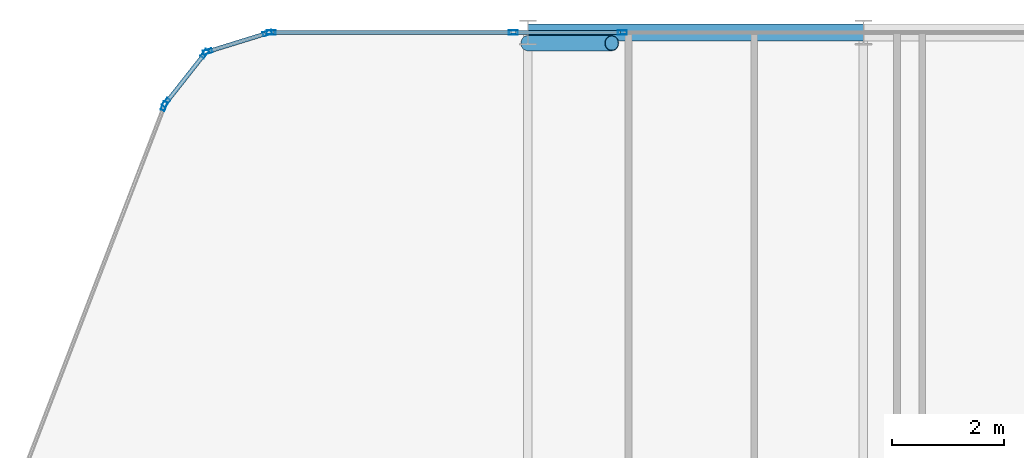
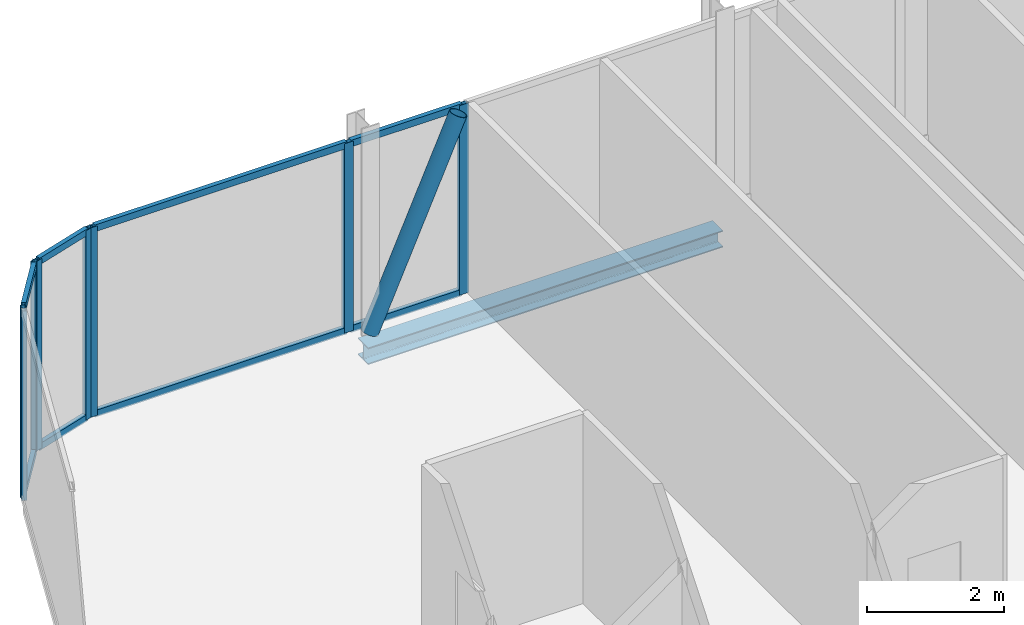
# One storey, part 18 of 29: 17 members, 1 beam, 5 elements without a shape of their own.
"""IFC4 building model written with IfcOpenShell, lengths in metres."""

import ifcopenshell
import ifcopenshell.guid

model = None  # the IFC model being written
_history = None  # IfcOwnerHistory: only IFC2X3 demands one
_inside = {}  # id of a spatial element -> (the spatial element, [elements in it])
_under = {}  # id of a project, library or spatial element -> (it, [spatial elements below it])
_declared = {}  # id of a project -> (the project, [libraries it declares])
_typed = {}  # id of a type object -> (the type object, [elements of that type])
_made_of = {}  # id of a material, layer set ... -> (it, [elements and type objects made of it])


def new_model(schema):
    """Start an empty IFC model of exactly this schema.

    Asked for "IFC4X3", IfcOpenShell would pick the latest addendum, in which some entities
    have other attributes; the version numbers below select the first issue.
    IFC2X3 requires an IfcOwnerHistory on every rooted entity: one is made here for all.
    """
    global model, _history
    if schema == "IFC4X3":
        model = ifcopenshell.file(schema_version=(4, 3, 0, 0))
    else:
        model = ifcopenshell.file(schema=schema)
    _inside.clear()
    _under.clear()
    _declared.clear()
    _typed.clear()
    _made_of.clear()
    _history = None
    if model.schema == "IFC2X3":
        org = make("IfcOrganization", Name="unknown")
        user = make(
            "IfcPersonAndOrganization",
            ThePerson=make("IfcPerson", FamilyName="unknown"),
            TheOrganization=org,
        )
        app = make(
            "IfcApplication",
            ApplicationDeveloper=org,
            Version="unknown",
            ApplicationFullName="unknown",
            ApplicationIdentifier="unknown",
        )
        _history = make(
            "IfcOwnerHistory",
            OwningUser=user,
            OwningApplication=app,
            ChangeAction="ADDED",
            CreationDate=0,
        )
    return model


def make(cls, **values):
    """One entity of the class cls with the attributes given. An attribute that is None is left unset."""
    return model.create_entity(
        cls, **{name: value for name, value in values.items() if value is not None}
    )


def rooted(cls, **values):
    """An entity with a GlobalId (a new one), such as an element, a storey or a relation."""
    return make(cls, GlobalId=ifcopenshell.guid.new(), OwnerHistory=_history, **values)


def si_unit(unit_type, name, prefix=None):
    """IfcSIUnit, for example si_unit("LENGTHUNIT", "METRE", prefix="MILLI")."""
    return make("IfcSIUnit", UnitType=unit_type, Prefix=prefix, Name=name)


def assignment(units):
    """IfcUnitAssignment: the units of a project."""
    return None if units is None else make("IfcUnitAssignment", Units=units)


def point(xyz):
    """IfcCartesianPoint."""
    return None if xyz is None else make("IfcCartesianPoint", Coordinates=xyz)


def direction(xyz):
    """IfcDirection."""
    return None if xyz is None else make("IfcDirection", DirectionRatios=xyz)


def frame(location, z_axis=None, x_axis=None):
    """IfcAxis2Placement3D, a coordinate frame: its origin and axes. An axis left out is left unset."""
    return make(
        "IfcAxis2Placement3D",
        Location=point(location),
        Axis=direction(z_axis),
        RefDirection=direction(x_axis),
    )


def frame_2d(location, x_axis=None):
    """IfcAxis2Placement2D, a coordinate frame in the plane: its origin and x axis."""
    return make(
        "IfcAxis2Placement2D", Location=point(location), RefDirection=direction(x_axis)
    )


def origin():
    """The frame at (0, 0, 0) with its axes left unset."""
    return frame((0.0, 0.0, 0.0))


def origin_2d():
    """The frame at (0, 0) in the plane with its x axis left unset."""
    return frame_2d((0.0, 0.0))


def place(relative_to, where):
    """IfcLocalPlacement: puts the frame where relative to a parent placement (None: the world)."""
    return make(
        "IfcLocalPlacement", PlacementRelTo=relative_to, RelativePlacement=where
    )


def context(
    kind, dimensions, precision=None, world=None, true_north=None, identifier=None
):
    """IfcGeometricRepresentationContext, for example the 3D "Model" context."""
    return make(
        "IfcGeometricRepresentationContext",
        ContextIdentifier=identifier,
        ContextType=kind,
        CoordinateSpaceDimension=dimensions,
        Precision=precision,
        WorldCoordinateSystem=world,
        TrueNorth=true_north,
    )


def subcontext(parent, identifier, kind, view, scale=None):
    """IfcGeometricRepresentationSubContext, for example "Body" below "Model"."""
    return make(
        "IfcGeometricRepresentationSubContext",
        ContextIdentifier=identifier,
        ContextType=kind,
        ParentContext=parent,
        TargetScale=scale,
        TargetView=view,
    )


def project(units=None, contexts=None):
    """IfcProject with its units and contexts."""
    return rooted(
        "IfcProject",
        Name="project",
        RepresentationContexts=contexts,
        UnitsInContext=assignment(units),
    )


def spatial(cls, under=None, at=None, **own):
    """A site, building, storey or space (cls), placed at a placement, below another one or the project."""
    s = rooted(cls, ObjectPlacement=at, **own)
    if under is not None:
        _under.setdefault(under.id(), (under, []))[1].append(s)
    return s


def profile(cls, at=None, kind="AREA", **sizes):
    """A parametric profile (cls). Its sizes go by their IFC names, for example OverallWidth=200.0."""
    return make(cls, ProfileType=kind, Position=at, **sizes)


def hollow_rectangle(**sizes):
    """IfcRectangleHollowProfileDef."""
    return profile("IfcRectangleHollowProfileDef", **sizes)


def hollow_circle(**sizes):
    """IfcCircleHollowProfileDef."""
    return profile("IfcCircleHollowProfileDef", **sizes)


def i_section(**sizes):
    """IfcIShapeProfileDef."""
    return profile("IfcIShapeProfileDef", **sizes)


def extrude(swept, where, along, depth):
    """IfcExtrudedAreaSolid: the profile swept, set in the frame where, extruded along a direction by depth."""
    return make(
        "IfcExtrudedAreaSolid",
        SweptArea=swept,
        Position=where,
        ExtrudedDirection=direction(along),
        Depth=depth,
    )


def shape(context_of_items, identifier, shape_type, items):
    """IfcShapeRepresentation: the items that make up one representation, for example the "Body"."""
    return make(
        "IfcShapeRepresentation",
        ContextOfItems=context_of_items,
        RepresentationIdentifier=identifier,
        RepresentationType=shape_type,
        Items=items,
    )


def material(Name=None, Category=None):
    """IfcMaterial."""
    return make("IfcMaterial", Name=Name, Category=Category)


def layer(
    of_material, thickness, ventilated=None, Name=None, Category=None, Priority=None
):
    """IfcMaterialLayer: one layer of a wall or slab, of a material (None: an air gap)."""
    return make(
        "IfcMaterialLayer",
        Material=of_material,
        LayerThickness=thickness,
        IsVentilated=ventilated,
        Name=Name,
        Category=Category,
        Priority=Priority,
    )


def layer_set(layers, Name=None):
    """IfcMaterialLayerSet."""
    return make("IfcMaterialLayerSet", MaterialLayers=layers, LayerSetName=Name)


def material_profile(
    of_material, cross_section, Name=None, Category=None, Priority=None
):
    """IfcMaterialProfile: a cross section and its material."""
    return make(
        "IfcMaterialProfile",
        Name=Name,
        Material=of_material,
        Profile=cross_section,
        Priority=Priority,
        Category=Category,
    )


def profile_set(profiles, Name=None, composite=None):
    """IfcMaterialProfileSet."""
    return make(
        "IfcMaterialProfileSet",
        Name=Name,
        MaterialProfiles=profiles,
        CompositeProfile=composite,
    )


def made_of(thing, what):
    """Note that an element or type object is made of a material, layer set ...; save() writes the relation."""
    if what is not None:
        _made_of.setdefault(what.id(), (what, []))[1].append(thing)
    return thing


def type_object(cls, material=None, **own):
    """A type object (cls), such as IfcWallType, which elements share."""
    return made_of(rooted(cls, **own), material)


def element(
    cls,
    number,
    at=None,
    inside=None,
    cuts=None,
    type_object=None,
    material=None,
    context=None,
    identifier="Body",
    shape_type=None,
    held_by="IfcProductDefinitionShape",
    body=None,
    shapes=None,
    **own,
):
    """One element of the class cls, such as IfcWall. Its Tag is "e" and its number.

    at: its placement. inside: the storey or other place that contains it. cuts: it is an
    opening in that element (IfcRelVoidsElement). A single representation is given by context,
    identifier, shape_type and body (its items); several are given by shapes. held_by: the class
    of the entity that holds the representations. save() writes the other relations.
    """
    e = rooted(cls, Tag="e%d" % number, ObjectPlacement=at, **own)
    if body is not None:
        shapes = [shape(context, identifier, shape_type, body)]
    if shapes is not None:
        e.Representation = make(held_by, Representations=shapes)
    if inside is not None:
        _inside.setdefault(inside.id(), (inside, []))[1].append(e)
    if cuts is not None:
        rooted(
            "IfcRelVoidsElement", RelatingBuildingElement=cuts, RelatedOpeningElement=e
        )
    if type_object is not None:
        _typed.setdefault(type_object.id(), (type_object, []))[1].append(e)
    return made_of(e, material)


def aggregate(whole, parts):
    """IfcRelAggregates: a whole, such as a stair, and the parts it consists of."""
    return rooted("IfcRelAggregates", RelatingObject=whole, RelatedObjects=parts)


def save(model, path):
    """Write the relations noted so far, then the file.

    IfcRelAggregates (storeys below a building ...), IfcRelContainedInSpatialStructure (elements
    in a storey), IfcRelDefinesByType, IfcRelAssociatesMaterial and IfcRelDeclares: one each for
    every whole, place, type object, material and project.
    """
    for whole, parts in _under.values():
        aggregate(whole, parts)
    for where, things in _inside.values():
        rooted(
            "IfcRelContainedInSpatialStructure",
            RelatedElements=things,
            RelatingStructure=where,
        )
    for kind, things in _typed.values():
        rooted("IfcRelDefinesByType", RelatedObjects=things, RelatingType=kind)
    for what, things in _made_of.values():
        rooted("IfcRelAssociatesMaterial", RelatedObjects=things, RelatingMaterial=what)
    for by, libraries in _declared.values():
        rooted("IfcRelDeclares", RelatingContext=by, RelatedDefinitions=libraries)
    model.write(path)


model = new_model("IFC4")

# Units and contexts
model_context = context("Model", 3, precision=1e-05, world=origin(), true_north=direction((0.0, 1.0)))
body_context = subcontext(model_context, "Body", "Model", "MODEL_VIEW")
ifc_project = project(units=[si_unit("LENGTHUNIT", "METRE"), si_unit("AREAUNIT", "SQUARE_METRE"), si_unit("VOLUMEUNIT", "CUBIC_METRE"), si_unit("PLANEANGLEUNIT", "RADIAN"), si_unit("MASSUNIT", "GRAM", prefix="KILO")], contexts=[model_context])

# Site, building, storey
site_placement = place(None, origin())
site = spatial("IfcSite", under=ifc_project, at=site_placement, CompositionType="ELEMENT")
building_placement = place(site_placement, origin())
building = spatial("IfcBuilding", under=site, at=building_placement, Name="Keshet Zoharim Tower", CompositionType="ELEMENT")
storey_placement = place(building_placement, frame((0.0, 0.0, 230.199951171875)))
storey = spatial("IfcBuildingStorey", under=building, at=storey_placement, Name="L57", CompositionType="ELEMENT", Elevation=230.199951171875)

# Beam
ifc_material_1 = material(Name="Steel S355", Category="steel")
ifc_material_profile_1 = material_profile(ifc_material_1, i_section(OverallWidth=0.300048828125, OverallDepth=0.300048828125, WebThickness=0.010986328125, FlangeThickness=0.01904296875, FilletRadius=0.027099609375, at=origin_2d()), Name="HEB300")
ifc_profile_set_1 = profile_set([ifc_material_profile_1], Name="Steel S355")
beam_type = type_object("IfcBeamType", Name="BM-PRI-HB300", PredefinedType="BEAM", material=ifc_profile_set_1)
beam_placement = place(storey_placement, frame((21.0, 53.89990234375, -0.4599609375), z_axis=(1.0, 0.0, 0.0), x_axis=(0.0, 1.0, 0.0)))
element("IfcBeam", 1, at=beam_placement, inside=storey, type_object=beam_type, Name="L57 Primary Girder X-019", PredefinedType="BEAM", context=body_context, shape_type="SweptSolid", body=[
    extrude(i_section(OverallWidth=0.300048828125, OverallDepth=0.300048828125, WebThickness=0.010986328125, FlangeThickness=0.01904296875, FilletRadius=0.027099609375, at=origin_2d()), origin(), (0.0, 0.0, 1.0), 6.0),
])

# Curtain wall, member
ifc_material_2 = material(Name="Aluminium 6063-T6", Category="aluminium")
ifc_layer = layer(ifc_material_2, 0.139892578125)
ifc_layer_set = layer_set([ifc_layer], Name="Aluminium 6063-T6")
curtain_wall_type = type_object("IfcCurtainWallType", Name="CW-SYS-05", PredefinedType="NOTDEFINED", material=ifc_layer_set)
curtain_wall_1_placement = place(storey_placement, origin())
curtain_wall_1 = element("IfcCurtainWall", 2, at=curtain_wall_1_placement, inside=storey, type_object=curtain_wall_type, Name="L57 Unitised Curtain Wall 13", PredefinedType="NOTDEFINED")
ifc_material_profile_2 = material_profile(ifc_material_2, hollow_rectangle(XDim=0.074951171875, YDim=0.159912109375, WallThickness=0.00390625, at=origin_2d()), Name="MUL-75x160")
ifc_profile_set_2 = profile_set([ifc_material_profile_2], Name="Aluminium 6063-T6")
member_type_1 = type_object("IfcMemberType", Name="CWM-M15", PredefinedType="MULLION", material=ifc_profile_set_2)
member_1_placement = place(storey_placement, frame((14.494384765625, 52.58544921875, 0.0), z_axis=(0.0, 0.0, 1.0), x_axis=(-0.933341404361, 0.358990003907, 0.0)))
member_1 = element("IfcMember", 3, at=member_1_placement, type_object=member_type_1, Name="CW-05 mullion 4", PredefinedType="MULLION", context=body_context, shape_type="SweptSolid", body=[
    extrude(hollow_rectangle(XDim=0.074951171875, YDim=0.159912109375, WallThickness=0.00390625, at=origin_2d()), origin(), (0.0, 0.0, 1.0), 3.39013671875),
])
aggregate(curtain_wall_1, [member_1])

# Curtain wall, members
curtain_wall_2_placement = place(storey_placement, origin())
curtain_wall_2 = element("IfcCurtainWall", 4, at=curtain_wall_2_placement, inside=storey, type_object=curtain_wall_type, Name="L57 Unitised Curtain Wall 14", PredefinedType="NOTDEFINED")
member_2_placement = place(storey_placement, frame((14.528564453125, 52.6455078125, 0.0), z_axis=(0.0, 0.0, 1.0), x_axis=(-0.785292825205, 0.619124525989, 0.0)))
member_2 = element("IfcMember", 5, at=member_2_placement, type_object=member_type_1, Name="CW-05 mullion 1", PredefinedType="MULLION", context=body_context, shape_type="SweptSolid", body=[
    extrude(hollow_rectangle(XDim=0.074951171875, YDim=0.159912109375, WallThickness=0.00390625, at=origin_2d()), origin(), (0.0, 0.0, 1.0), 3.39013671875),
])
member_3_placement = place(storey_placement, frame((15.21923828125, 53.521484375, 0.0), z_axis=(0.0, 0.0, 1.0), x_axis=(-0.785292825205, 0.619124525989, 0.0)))
member_3 = element("IfcMember", 6, at=member_3_placement, type_object=member_type_1, Name="CW-05 mullion 2", PredefinedType="MULLION", context=body_context, shape_type="SweptSolid", body=[
    extrude(hollow_rectangle(XDim=0.074951171875, YDim=0.159912109375, WallThickness=0.00390625, at=origin_2d()), origin(), (0.0, 0.0, 1.0), 3.39013671875),
])

curtain_wall_3_placement = place(storey_placement, origin())
curtain_wall_3 = element("IfcCurtainWall", 7, at=curtain_wall_3_placement, inside=storey, type_object=curtain_wall_type, Name="L57 Unitised Curtain Wall 15", PredefinedType="NOTDEFINED")
member_4_placement = place(storey_placement, frame((15.2744140625, 53.559326171875, 0.0), z_axis=(0.0, 0.0, 1.0), x_axis=(-0.295921857984, 0.955212151288, 0.0)))
member_4 = element("IfcMember", 8, at=member_4_placement, type_object=member_type_1, Name="CW-05 mullion 1", PredefinedType="MULLION", context=body_context, shape_type="SweptSolid", body=[
    extrude(hollow_rectangle(XDim=0.074951171875, YDim=0.159912109375, WallThickness=0.00390625, at=origin_2d()), origin(), (0.0, 0.0, 1.0), 3.39013671875),
])
member_5_placement = place(storey_placement, frame((16.340576171875, 53.8896484375, 0.0), z_axis=(0.0, 0.0, 1.0), x_axis=(-0.295921857984, 0.955212151288, 0.0)))
member_5 = element("IfcMember", 9, at=member_5_placement, type_object=member_type_1, Name="CW-05 mullion 2", PredefinedType="MULLION", context=body_context, shape_type="SweptSolid", body=[
    extrude(hollow_rectangle(XDim=0.074951171875, YDim=0.159912109375, WallThickness=0.00390625, at=origin_2d()), origin(), (0.0, 0.0, 1.0), 3.39013671875),
])

curtain_wall_4_placement = place(storey_placement, origin())
curtain_wall_4 = element("IfcCurtainWall", 10, at=curtain_wall_4_placement, inside=storey, type_object=curtain_wall_type, Name="L57 Unitised Curtain Wall 16", PredefinedType="NOTDEFINED")
member_6_placement = place(storey_placement, frame((16.408935546875, 53.89990234375, 0.0), z_axis=(0.0, 0.0, 1.0), x_axis=(0.0, 1.0, 0.0)))
member_6 = element("IfcMember", 11, at=member_6_placement, type_object=member_type_1, Name="CW-05 mullion 1", PredefinedType="MULLION", context=body_context, shape_type="SweptSolid", body=[
    extrude(hollow_rectangle(XDim=0.074951171875, YDim=0.159912109375, WallThickness=0.00390625, at=origin_2d()), origin(), (0.0, 0.0, 1.0), 3.39013671875),
])
member_7_placement = place(storey_placement, frame((20.740234375, 53.89990234375, 0.0), z_axis=(0.0, 0.0, 1.0), x_axis=(0.0, 1.0, 0.0)))
member_7 = element("IfcMember", 12, at=member_7_placement, type_object=member_type_1, Name="CW-05 mullion 2", PredefinedType="MULLION", context=body_context, shape_type="SweptSolid", body=[
    extrude(hollow_rectangle(XDim=0.074951171875, YDim=0.159912109375, WallThickness=0.00390625, at=origin_2d()), origin(), (0.0, 0.0, 1.0), 3.39013671875),
])

# Curtain wall, member
curtain_wall_5_placement = place(storey_placement, origin())
curtain_wall_5 = element("IfcCurtainWall", 13, at=curtain_wall_5_placement, inside=storey, type_object=curtain_wall_type, Name="L57 Unitised Curtain Wall 16 Part 2", PredefinedType="NOTDEFINED")
member_8_placement = place(storey_placement, frame((22.689697265625, 53.89990234375, 0.0), z_axis=(0.0, 0.0, 1.0), x_axis=(0.0, 1.0, 0.0)))
member_8 = element("IfcMember", 14, at=member_8_placement, type_object=member_type_1, Name="CW-05 mullion 2", PredefinedType="MULLION", context=body_context, shape_type="SweptSolid", body=[
    extrude(hollow_rectangle(XDim=0.074951171875, YDim=0.159912109375, WallThickness=0.00390625, at=origin_2d()), origin(), (0.0, 0.0, 1.0), 3.39013671875),
])

# Member
ifc_material_profile_3 = material_profile(ifc_material_2, hollow_rectangle(XDim=0.074951171875, YDim=0.1201171875, WallThickness=0.00390625, at=origin_2d()), Name="TRN-75x120")
ifc_profile_set_3 = profile_set([ifc_material_profile_3], Name="Aluminium 6063-T6")
member_type_2 = type_object("IfcMemberType", Name="CWT-T12", PredefinedType="USERDEFINED", material=ifc_profile_set_3)
member_9_placement = place(storey_placement, frame((14.55029296875, 52.6728515625, 0.03515625), z_axis=(0.619099165969, 0.78531281837, 0.0), x_axis=(-0.78531281837, 0.619099165969, 0.0)))
member_9 = element("IfcMember", 15, at=member_9_placement, type_object=member_type_2, Name="CW-05 transom 1.1", ObjectType="TRANSOM", PredefinedType="USERDEFINED", context=body_context, shape_type="SweptSolid", body=[
    extrude(hollow_rectangle(XDim=0.074951171875, YDim=0.1201171875, WallThickness=0.00390625, at=origin_2d()), origin(), (0.0, 0.0, 1.0), 1.0458984375),
])

member_10_placement = place(storey_placement, frame((14.55029296875, 52.6728515625, 3.35498046875), z_axis=(0.619099165969, 0.78531281837, 0.0), x_axis=(-0.78531281837, 0.619099165969, 0.0)))
member_10 = element("IfcMember", 16, at=member_10_placement, type_object=member_type_2, Name="CW-05 transom 1.2", ObjectType="TRANSOM", PredefinedType="USERDEFINED", context=body_context, shape_type="SweptSolid", body=[
    extrude(hollow_rectangle(XDim=0.074951171875, YDim=0.1201171875, WallThickness=0.00390625, at=origin_2d()), origin(), (0.0, 0.0, 1.0), 1.0458984375),
])

aggregate(curtain_wall_2, [member_2, member_3, member_9, member_10])

member_11_placement = place(storey_placement, frame((15.307861328125, 53.56982421875, 0.03515625), z_axis=(0.955212093062, 0.295922045933, 0.0), x_axis=(-0.295922045933, 0.955212093062, 0.0)))
member_11 = element("IfcMember", 17, at=member_11_placement, type_object=member_type_2, Name="CW-05 transom 1.1", ObjectType="TRANSOM", PredefinedType="USERDEFINED", context=body_context, shape_type="SweptSolid", body=[
    extrude(hollow_rectangle(XDim=0.074951171875, YDim=0.1201171875, WallThickness=0.00390625, at=origin_2d()), origin(), (0.0, 0.0, 1.0), 1.046142578125),
])

member_12_placement = place(storey_placement, frame((15.307861328125, 53.56982421875, 3.35498046875), z_axis=(0.955212093062, 0.295922045933, 0.0), x_axis=(-0.295922045933, 0.955212093062, 0.0)))
member_12 = element("IfcMember", 18, at=member_12_placement, type_object=member_type_2, Name="CW-05 transom 1.2", ObjectType="TRANSOM", PredefinedType="USERDEFINED", context=body_context, shape_type="SweptSolid", body=[
    extrude(hollow_rectangle(XDim=0.074951171875, YDim=0.1201171875, WallThickness=0.00390625, at=origin_2d()), origin(), (0.0, 0.0, 1.0), 1.046142578125),
])

aggregate(curtain_wall_3, [member_4, member_5, member_11, member_12])

member_13_placement = place(storey_placement, frame((16.444091796875, 53.89990234375, 0.03515625), z_axis=(1.0, 0.0, 0.0), x_axis=(0.0, 1.0, 0.0)))
member_13 = element("IfcMember", 19, at=member_13_placement, type_object=member_type_2, Name="CW-05 transom 1.1", ObjectType="TRANSOM", PredefinedType="USERDEFINED", context=body_context, shape_type="SweptSolid", body=[
    extrude(hollow_rectangle(XDim=0.074951171875, YDim=0.1201171875, WallThickness=0.00390625, at=origin_2d()), origin(), (0.0, 0.0, 1.0), 4.260986328125),
])

member_14_placement = place(storey_placement, frame((16.444091796875, 53.89990234375, 3.35498046875), z_axis=(1.0, 0.0, 0.0), x_axis=(0.0, 1.0, 0.0)))
member_14 = element("IfcMember", 20, at=member_14_placement, type_object=member_type_2, Name="CW-05 transom 1.2", ObjectType="TRANSOM", PredefinedType="USERDEFINED", context=body_context, shape_type="SweptSolid", body=[
    extrude(hollow_rectangle(XDim=0.074951171875, YDim=0.1201171875, WallThickness=0.00390625, at=origin_2d()), origin(), (0.0, 0.0, 1.0), 4.260986328125),
])

aggregate(curtain_wall_4, [member_6, member_7, member_13, member_14])

member_15_placement = place(storey_placement, frame((20.775146484375, 53.89990234375, 0.03515625), z_axis=(1.0, 0.0, 0.0), x_axis=(0.0, 1.0, 0.0)))
member_15 = element("IfcMember", 21, at=member_15_placement, type_object=member_type_2, Name="CW-05 transom 1.1", ObjectType="TRANSOM", PredefinedType="USERDEFINED", context=body_context, shape_type="SweptSolid", body=[
    extrude(hollow_rectangle(XDim=0.074951171875, YDim=0.1201171875, WallThickness=0.00390625, at=origin_2d()), origin(), (0.0, 0.0, 1.0), 1.879638671875),
])

member_16_placement = place(storey_placement, frame((20.775146484375, 53.89990234375, 3.35498046875), z_axis=(1.0, 0.0, 0.0), x_axis=(0.0, 1.0, 0.0)))
member_16 = element("IfcMember", 22, at=member_16_placement, type_object=member_type_2, Name="CW-05 transom 1.2", ObjectType="TRANSOM", PredefinedType="USERDEFINED", context=body_context, shape_type="SweptSolid", body=[
    extrude(hollow_rectangle(XDim=0.074951171875, YDim=0.1201171875, WallThickness=0.00390625, at=origin_2d()), origin(), (0.0, 0.0, 1.0), 1.879638671875),
])

aggregate(curtain_wall_5, [member_8, member_15, member_16])

ifc_material_profile_4 = material_profile(ifc_material_1, hollow_circle(Radius=0.136474609375, WallThickness=0.010009765625, at=origin_2d()), Name="CHS273x10")
ifc_profile_set_4 = profile_set([ifc_material_profile_4], Name="Steel S355")
member_type_3 = type_object("IfcMemberType", Name="MB-BR-C273", PredefinedType="BRACE", material=ifc_profile_set_4)
member_17_placement = place(storey_placement, frame((21.0, 53.7099609375, 0.0), z_axis=(0.404622528463, 0.0, 0.914483793984), x_axis=(0.0, 1.0, 0.0)))
element("IfcMember", 23, at=member_17_placement, inside=storey, type_object=member_type_3, Name="L57 Perimeter Tube Brace 02", PredefinedType="BRACE", context=body_context, shape_type="SweptSolid", body=[
    extrude(hollow_circle(Radius=0.136474609375, WallThickness=0.010009765625, at=origin_2d()), origin(), (0.0, 0.0, 1.0), 3.707275390625),
])

save(model, "model.ifc")
